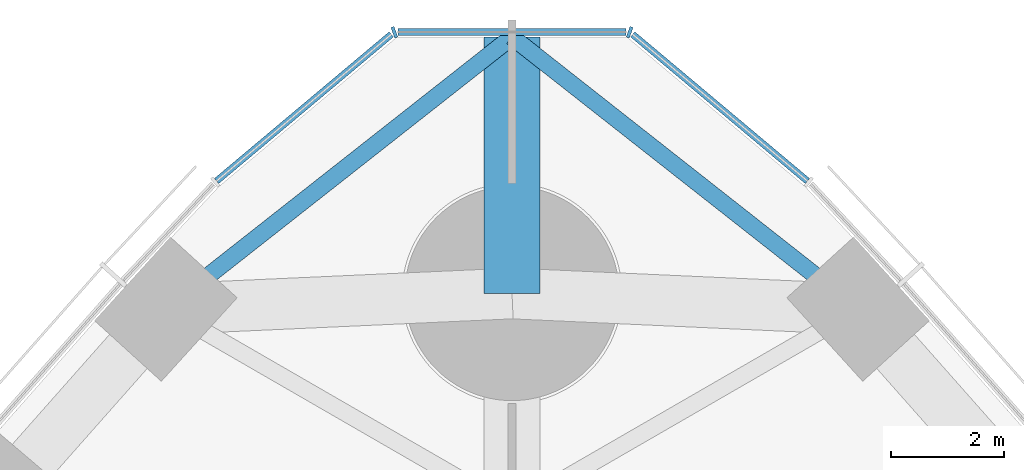
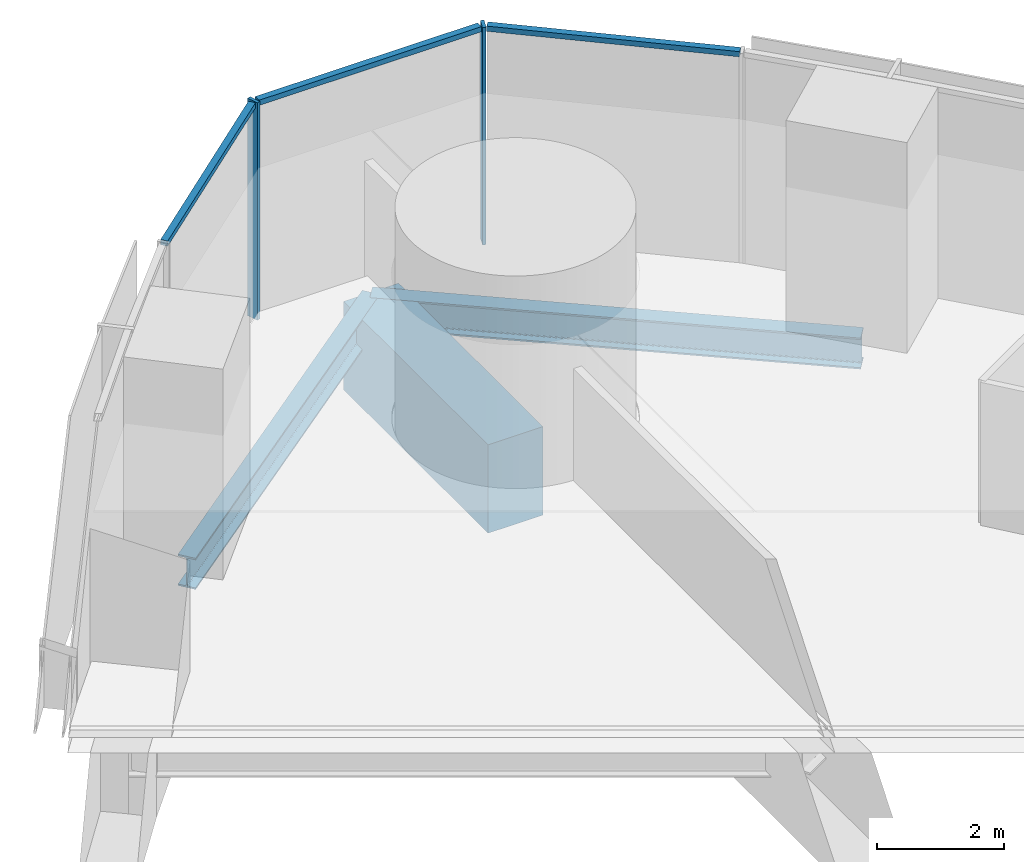
# One storey, part 8 of 18: 5 members, 3 beams, 1 element without a shape of its own.
"""IFC4 building model written with IfcOpenShell, lengths in metres."""

from ifc_helpers import new_model, si_unit, direction, frame, origin, origin_2d, place, context, subcontext, project, spatial, rectangle, i_section, extrude, material, material_profile, profile_set, type_object, element, aggregate, save


model = new_model("IFC4")

# Units and contexts
model_context = context("Model", 3, precision=1e-05, world=origin(), true_north=direction((0.0, 1.0)))
body_context = subcontext(model_context, "Body", "Model", "MODEL_VIEW")
ifc_project = project(units=[si_unit("LENGTHUNIT", "METRE"), si_unit("AREAUNIT", "SQUARE_METRE"), si_unit("VOLUMEUNIT", "CUBIC_METRE"), si_unit("PLANEANGLEUNIT", "RADIAN"), si_unit("MASSUNIT", "GRAM", prefix="KILO")], contexts=[model_context])

# Site, building, storey
site_placement = place(None, origin())
site = spatial("IfcSite", under=ifc_project, at=site_placement, CompositionType="ELEMENT")
building_placement = place(site_placement, origin())
building = spatial("IfcBuilding", under=site, at=building_placement, Name="Trefoil Bronze Tower", CompositionType="ELEMENT")
storey_placement = place(building_placement, frame((0.0, 0.0, 157.699951171875)))
storey = spatial("IfcBuildingStorey", under=building, at=storey_placement, Name="L36", CompositionType="ELEMENT", Elevation=157.699951171875)

# Curtain wall, members
ifc_material_1 = material(Name="Tinted solar-control glass", Category="glass")
curtain_wall_type = type_object("IfcCurtainWallType", Name="Bronze rounded corner curtain wall", PredefinedType="USERDEFINED", material=ifc_material_1)
curtain_wall_placement = place(storey_placement, origin())
curtain_wall = element("IfcCurtainWall", 1, at=curtain_wall_placement, inside=storey, type_object=curtain_wall_type, Name="CW-B L36 K2", ObjectType="CURTAIN WALL", PredefinedType="USERDEFINED")
ifc_material_2 = material(Name="Bronze-finish aluminium", Category="aluminium")
ifc_material_profile_1 = material_profile(ifc_material_2, rectangle(XDim=0.199951171875, YDim=0.06005859375, at=origin_2d()), Name="CW-B mullion")
ifc_profile_set_1 = profile_set([ifc_material_profile_1], Name="Bronze-finish aluminium")
member_type_1 = type_object("IfcMemberType", Name="Bronze rounded corner curtain wall mullion", PredefinedType="MULLION", material=ifc_profile_set_1)
member_1_placement = place(storey_placement, frame((2.08642578125, 39.631591796875, 0.0), z_axis=(0.0, 0.0, 1.0), x_axis=(-0.342020143326, -0.939692620786, 0.0)))
member_1 = element("IfcMember", 2, at=member_1_placement, type_object=member_type_1, Name="CW-B L36 K2 mullion 2", PredefinedType="MULLION", context=body_context, shape_type="SweptSolid", body=[
    extrude(rectangle(XDim=0.199951171875, YDim=0.06005859375, at=origin_2d()), origin(), (0.0, 0.0, 1.0), 4.179931640625),
])
member_2_placement = place(storey_placement, frame((-2.08642578125, 39.631591796875, 0.0), z_axis=(0.0, 0.0, 1.0), x_axis=(0.342020143326, -0.939692620786, 0.0)))
member_2 = element("IfcMember", 3, at=member_2_placement, type_object=member_type_1, Name="CW-B L36 K2 mullion 3", PredefinedType="MULLION", context=body_context, shape_type="SweptSolid", body=[
    extrude(rectangle(XDim=0.199951171875, YDim=0.06005859375, at=origin_2d()), origin(), (0.0, 0.0, 1.0), 4.179931640625),
])
ifc_material_3 = material(Name="Bronze-finish aluminium", Category="aluminium")
ifc_material_profile_2 = material_profile(ifc_material_3, rectangle(XDim=0.1201171875, YDim=0.10009765625, at=origin_2d()), Name="CW-B transom")
ifc_profile_set_2 = profile_set([ifc_material_profile_2], Name="Bronze-finish aluminium")
member_type_2 = type_object("IfcMemberType", Name="Bronze rounded corner curtain wall transom", PredefinedType="USERDEFINED", material=ifc_profile_set_2)
member_3_placement = place(storey_placement, frame((5.237548828125, 36.9951171875, 4.130126953125), z_axis=(-0.766049624684, 0.642781434487, 0.0), x_axis=(-0.642781434487, -0.766049624684, 0.0)))
member_3 = element("IfcMember", 4, at=member_3_placement, type_object=member_type_2, Name="CW-B L36 K2 transom 1", ObjectType="TRANSOM", PredefinedType="USERDEFINED", context=body_context, shape_type="SweptSolid", body=[
    extrude(rectangle(XDim=0.1201171875, YDim=0.10009765625, at=origin_2d()), origin(), (0.0, 0.0, 1.0), 4.04443359375),
])
member_4_placement = place(storey_placement, frame((2.022216796875, 39.637451171875, 4.130126953125), z_axis=(-1.0, 0.0, 0.0), x_axis=(0.0, -1.0, 0.0)))
member_4 = element("IfcMember", 5, at=member_4_placement, type_object=member_type_2, Name="CW-B L36 K2 transom 2", ObjectType="TRANSOM", PredefinedType="USERDEFINED", context=body_context, shape_type="SweptSolid", body=[
    extrude(rectangle(XDim=0.1201171875, YDim=0.10009765625, at=origin_2d()), origin(), (0.0, 0.0, 1.0), 4.04443359375),
])
member_5_placement = place(storey_placement, frame((-2.139404296875, 39.5947265625, 4.130126953125), z_axis=(-0.766049624684, -0.642781434487, 0.0), x_axis=(0.642781434487, -0.766049624684, 0.0)))
member_5 = element("IfcMember", 6, at=member_5_placement, type_object=member_type_2, Name="CW-B L36 K2 transom 3", ObjectType="TRANSOM", PredefinedType="USERDEFINED", context=body_context, shape_type="SweptSolid", body=[
    extrude(rectangle(XDim=0.1201171875, YDim=0.10009765625, at=origin_2d()), origin(), (0.0, 0.0, 1.0), 4.04443359375),
])
aggregate(curtain_wall, [member_1, member_2, member_3, member_4, member_5])

# Beams
ifc_material_4 = material(Name="Concrete B80", Category="concrete")
ifc_material_profile_3 = material_profile(ifc_material_4, rectangle(XDim=1.0, YDim=1.699951171875, at=origin_2d()), Name="RC 1000x1700")
ifc_profile_set_3 = profile_set([ifc_material_profile_3], Name="Concrete B80")
beam_type_1 = type_object("IfcBeamType", Name="Corner cantilever RC 1000x1700", PredefinedType="BEAM", material=ifc_profile_set_3)
beam_placement = place(storey_placement, frame((0.0, 35.0, -1.050048828125), z_axis=(0.0, 1.0, 0.0), x_axis=(-1.0, 0.0, 0.0)))
element("IfcBeam", 7, at=beam_placement, inside=storey, type_object=beam_type_1, Name="Corner cantilever K2 L36", PredefinedType="BEAM", context=body_context, shape_type="SweptSolid", body=[
    extrude(rectangle(XDim=1.0, YDim=1.699951171875, at=origin_2d()), origin(), (0.0, 0.0, 1.0), 4.54931640625),
])
ifc_material_5 = material(Name="Steel C355", Category="steel")
ifc_material_profile_4 = material_profile(ifc_material_5, i_section(OverallWidth=0.300048828125, OverallDepth=0.60009765625, WebThickness=0.015380859375, FlangeThickness=0.030029296875, FilletRadius=0.027099609375, at=origin_2d()), Name="HEB 600")
ifc_profile_set_4 = profile_set([ifc_material_profile_4], Name="Steel C355")
beam_type_2 = type_object("IfcBeamType", Name="Corner edge beam HEB 600", PredefinedType="BEAM", material=ifc_profile_set_4)
for number, where, z_axis, x_axis, name in (
    (8, (6.13916015625, 34.72119140625, -0.5), (-0.786038406433, 0.61817766347, 0.0), (-0.61817766347, -0.786038406433, 0.0), "Corner edge beam F2A L36"),
    (9, (-6.13916015625, 34.72119140625, -0.5), (0.786038406433, 0.61817766347, 0.0), (-0.61817766347, 0.786038406433, 0.0), "Corner edge beam F3B L36"),
):
    element("IfcBeam", number, at=place(storey_placement, frame(where, z_axis=z_axis, x_axis=x_axis)), inside=storey, type_object=beam_type_2, Name=name, PredefinedType="BEAM", context=body_context, shape_type="SweptSolid", body=[
        extrude(i_section(OverallWidth=0.300048828125, OverallDepth=0.60009765625, WebThickness=0.015380859375, FlangeThickness=0.030029296875, FilletRadius=0.027099609375, at=origin_2d()), origin(), (0.0, 0.0, 1.0), 7.810302734375),
    ])

save(model, "model.ifc")
